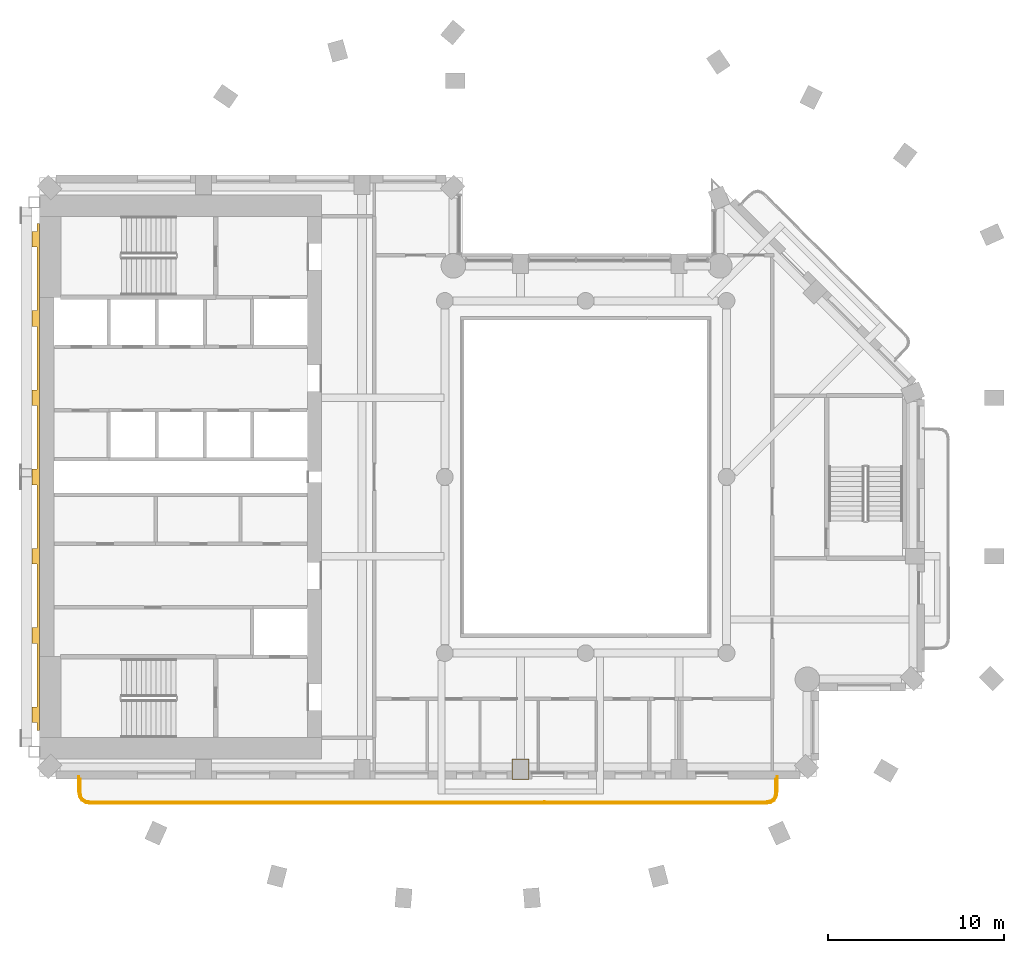
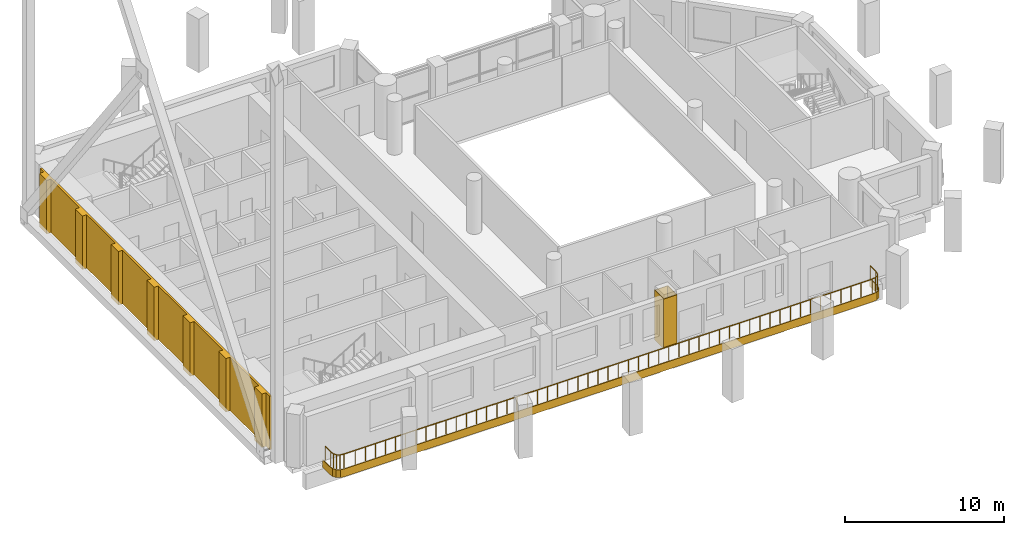
# One storey, part 13 of 16: 3 coverings, 1 railing.
"""IFC4 building model written with IfcOpenShell, lengths in metres."""

from ifc_helpers import new_model, si_unit, direction, frame, origin, origin_2d, place, context, subcontext, project, spatial, polyline, rectangle, outline, extrude, material, layer, layer_set, type_object, element, save


model = new_model("IFC4")

# Units and contexts
model_context = context("Model", 3, precision=1e-05, world=origin(), true_north=direction((0.0, 1.0)))
body_context = subcontext(model_context, "Body", "Model", "MODEL_VIEW")
ifc_project = project(units=[si_unit("LENGTHUNIT", "METRE"), si_unit("AREAUNIT", "SQUARE_METRE"), si_unit("VOLUMEUNIT", "CUBIC_METRE"), si_unit("PLANEANGLEUNIT", "RADIAN"), si_unit("MASSUNIT", "GRAM", prefix="KILO")], contexts=[model_context])

# Site, building, storey
site_placement = place(None, origin())
site = spatial("IfcSite", under=ifc_project, at=site_placement, CompositionType="ELEMENT")
building_placement = place(site_placement, origin())
building = spatial("IfcBuilding", under=site, at=building_placement, Name="Cypress Arch Tower", CompositionType="ELEMENT")
storey_placement = place(building_placement, frame((0.0, 0.0, 197.39990234375)))
storey = spatial("IfcBuildingStorey", under=building, at=storey_placement, Name="L43", CompositionType="ELEMENT", Elevation=197.39990234375)

# Covering
ifc_material_1 = material(Name="White powder-coated aluminium fascia", Category="aluminium")
ifc_layer_1 = layer(ifc_material_1, 0.050048828125)
ifc_layer_set_1 = layer_set([ifc_layer_1], Name="Balcony fascia BF50")
covering_type_1 = type_object("IfcCoveringType", Name="Balcony fascia BF50", PredefinedType="CLADDING", material=ifc_layer_set_1)
covering_1_placement = place(storey_placement, frame((0.0, 0.0, -0.599853515625)))
element("IfcCovering", 1, at=covering_1_placement, inside=storey, type_object=covering_type_1, Name="Balcony fascia L43-B01", PredefinedType="CLADDING", context=body_context, shape_type="SweptSolid", body=[
    extrude(outline(polyline([(11.89990234375, -17.85205078125), (11.85693359375, -18.154541015625), (11.721435546875, -18.38037109375), (11.495849609375, -18.516357421875), (11.193603515625, -18.560302734375), (10.383544921875, -18.5625), (8.916748046875, -18.5654296875), (7.449951171875, -18.56640625), (5.983154296875, -18.565185546875), (4.5166015625, -18.562255859375), (3.0498046875, -18.558349609375), (1.583251953125, -18.55419921875), (0.11669921875, -18.55126953125), (-1.35009765625, -18.550048828125), (-2.816650390625, -18.55078125), (-4.283203125, -18.553466796875), (-5.749755859375, -18.557373046875), (-7.216552734375, -18.5615234375), (-8.683349609375, -18.564697265625), (-10.14990234375, -18.56640625), (-11.61669921875, -18.565673828125), (-13.08349609375, -18.563232421875), (-14.550048828125, -18.5595703125), (-16.016845703125, -18.555419921875), (-17.4833984375, -18.552001953125), (-18.949951171875, -18.550048828125), (-20.41650390625, -18.55029296875), (-21.88330078125, -18.552734375), (-23.349853515625, -18.556396484375), (-24.816650390625, -18.560546875), (-26.283203125, -18.56396484375), (-27.093505859375, -18.565185546875), (-27.395751953125, -18.5224609375), (-27.621337890625, -18.38720703125), (-27.7568359375, -18.161865234375), (-27.800048828125, -17.859619140625), (-27.800048828125, -17.0009765625), (-27.75, -17.0009765625), (-27.75, -17.856201171875), (-27.708740234375, -18.144775390625), (-27.5849609375, -18.350830078125), (-27.378662109375, -18.474365234375), (-27.090087890625, -18.51513671875), (-26.283447265625, -18.513916015625), (-24.816650390625, -18.510498046875), (-23.35009765625, -18.50634765625), (-21.88330078125, -18.502685546875), (-20.416748046875, -18.50048828125), (-18.949951171875, -18.500244140625), (-17.4833984375, -18.501953125), (-16.0166015625, -18.50537109375), (-14.550048828125, -18.509521484375), (-13.083251953125, -18.51318359375), (-11.61669921875, -18.515869140625), (-10.14990234375, -18.516357421875), (-8.683349609375, -18.514892578125), (-7.216552734375, -18.511474609375), (-5.75, -18.507568359375), (-4.283447265625, -18.503662109375), (-2.816650390625, -18.500732421875), (-1.35009765625, -18.5), (0.11669921875, -18.501220703125), (1.583251953125, -18.50439453125), (3.050048828125, -18.50830078125), (4.5166015625, -18.51220703125), (5.9833984375, -18.51513671875), (7.449951171875, -18.516357421875), (8.916748046875, -18.515380859375), (10.38330078125, -18.512451171875), (11.18994140625, -18.510498046875), (11.478759765625, -18.46826171875), (11.68505859375, -18.343994140625), (11.808837890625, -18.137451171875), (11.85009765625, -17.8486328125), (11.85009765625, -17.0009765625), (11.89990234375, -17.0009765625), (11.89990234375, -17.85205078125)])), origin(), (0.0, 0.0, 1.0), 0.599853515625),
])

# Railing
ifc_material_2 = material(Name="Powder-coated steel posts and rods, 100 mm clear between rods", Category="steel")
railing_type = type_object("IfcRailingType", Name="Balcony guard GR1100", PredefinedType="GUARDRAIL", material=ifc_material_2)
railing_placement = place(storey_placement, frame((11.800048828125, -17.14990234375, 0.0)))
element("IfcRailing", 2, at=railing_placement, inside=storey, type_object=railing_type, Name="Balcony guard L43-B01", PredefinedType="GUARDRAIL", context=body_context, shape_type="SweptSolid", body=[
    extrude(rectangle(XDim=0.050048828125, YDim=0.050048828125, at=origin_2d()), frame((0.0, 0.0, 1.0751953125), z_axis=(0.0, -1.0, 0.0), x_axis=(1.0, 0.0, 0.0)), (0.0, 0.0, 1.0), 0.695068359375),
    extrude(rectangle(XDim=0.050048828125, YDim=0.050048828125, at=origin_2d()), frame((0.0, -0.695068359375, 1.0751953125), z_axis=(-0.141298486899, -0.989967038643, 0.0), x_axis=(0.989967038643, -0.141298486899, 0.0)), (0.0, 0.0, 1.0), 0.278076171875),
    extrude(rectangle(XDim=0.050048828125, YDim=0.050048828125, at=origin_2d()), frame((-0.039306640625, -0.970458984375, 1.0751953125), z_axis=(-0.514331317798, -0.85759156685, 0.0), x_axis=(0.85759156685, -0.514331317798, 0.0)), (0.0, 0.0, 1.0), 0.21826171875),
    extrude(rectangle(XDim=0.050048828125, YDim=0.050048828125, at=origin_2d()), frame((-0.151611328125, -1.15771484375, 1.0751953125), z_axis=(-0.856008389805, -0.51696192953, 0.0), x_axis=(0.51696192953, -0.856008389805, 0.0)), (0.0, 0.0, 1.0), 0.21826171875),
    extrude(rectangle(XDim=0.050048828125, YDim=0.050048828125, at=origin_2d()), frame((-0.33837890625, -1.2705078125, 1.0751953125), z_axis=(-0.989595525571, -0.143877363647, 0.0), x_axis=(0.143877363647, -0.989595525571, 0.0)), (0.0, 0.0, 1.0), 0.2783203125),
    extrude(rectangle(XDim=0.050048828125, YDim=0.050048828125, at=origin_2d()), frame((-0.61376953125, -1.310546875, 1.0751953125), z_axis=(-0.999996256095, -0.002736383796, 0.0), x_axis=(0.002736383796, -0.999996256095, 0.0)), (0.0, 0.0, 1.0), 0.802978515625),
    extrude(rectangle(XDim=0.050048828125, YDim=0.050048828125, at=origin_2d()), frame((-1.416748046875, -1.312744140625, 1.0751953125), z_axis=(-0.999998323921, -0.001830889075, 0.0), x_axis=(0.001830889075, -0.999998323921, 0.0)), (0.0, 0.0, 1.0), 1.466796875),
    extrude(rectangle(XDim=0.050048828125, YDim=0.050048828125, at=origin_2d()), frame((-2.883544921875, -1.3154296875, 1.0751953125), z_axis=(-0.999999778295, -0.000665889648, 0.0), x_axis=(0.000665889648, -0.999999778295, 0.0)), (0.0, 0.0, 1.0), 1.466552734375),
    extrude(rectangle(XDim=0.050048828125, YDim=0.050048828125, at=origin_2d()), frame((-4.35009765625, -1.31640625, 1.0751953125), z_axis=(-0.999999778295, 0.000665889648, 0.0), x_axis=(-0.000665889648, -0.999999778295, 0.0)), (0.0, 0.0, 1.0), 1.466552734375),
    extrude(rectangle(XDim=0.050048828125, YDim=0.050048828125, at=origin_2d()), frame((-5.816650390625, -1.3154296875, 1.0751953125), z_axis=(-0.999998004664, 0.0019976654, 0.0), x_axis=(-0.0019976654, -0.999998004664, 0.0)), (0.0, 0.0, 1.0), 1.466552734375),
    extrude(rectangle(XDim=0.050048828125, YDim=0.050048828125, at=origin_2d()), frame((-7.283203125, -1.3125, 1.0751953125), z_axis=(-0.999995996817, 0.002829549259, 0.0), x_axis=(-0.002829549259, -0.999995996817, 0.0)), (0.0, 0.0, 1.0), 1.466796875),
    extrude(rectangle(XDim=0.050048828125, YDim=0.050048828125, at=origin_2d()), frame((-8.75, -1.308349609375, 1.0751953125), z_axis=(-0.999996452745, 0.002663549733, 0.0), x_axis=(-0.002663549733, -0.999996452745, 0.0)), (0.0, 0.0, 1.0), 1.466552734375),
    extrude(rectangle(XDim=0.050048828125, YDim=0.050048828125, at=origin_2d()), frame((-10.216552734375, -1.304443359375, 1.0751953125), z_axis=(-0.999997659033, 0.002163776559, 0.0), x_axis=(-0.002163776559, -0.999997659033, 0.0)), (0.0, 0.0, 1.0), 1.466796875),
    extrude(rectangle(XDim=0.050048828125, YDim=0.050048828125, at=origin_2d()), frame((-11.683349609375, -1.30126953125, 1.0751953125), z_axis=(-0.999999653702, 0.000832223414, 0.0), x_axis=(-0.000832223414, -0.999999653702, 0.0)), (0.0, 0.0, 1.0), 1.466796875),
    extrude(rectangle(XDim=0.050048828125, YDim=0.050048828125, at=origin_2d()), frame((-13.150146484375, -1.300048828125, 1.0751953125), z_axis=(-0.999999778295, -0.000665889648, 0.0), x_axis=(0.000665889648, -0.999999778295, 0.0)), (0.0, 0.0, 1.0), 1.466552734375),
    extrude(rectangle(XDim=0.050048828125, YDim=0.050048828125, at=origin_2d()), frame((-14.61669921875, -1.301025390625, 1.0751953125), z_axis=(-0.999998323921, -0.001830889075, 0.0), x_axis=(0.001830889075, -0.999998323921, 0.0)), (0.0, 0.0, 1.0), 1.466796875),
    extrude(rectangle(XDim=0.050048828125, YDim=0.050048828125, at=origin_2d()), frame((-16.08349609375, -1.3037109375, 1.0751953125), z_axis=(-0.999996453926, -0.002663106402, 0.0), x_axis=(0.002663106402, -0.999996453926, 0.0)), (0.0, 0.0, 1.0), 1.466796875),
    extrude(rectangle(XDim=0.050048828125, YDim=0.050048828125, at=origin_2d()), frame((-17.55029296875, -1.3076171875, 1.0751953125), z_axis=(-0.999995995485, -0.002830020297, 0.0), x_axis=(0.002830020297, -0.999995995485, 0.0)), (0.0, 0.0, 1.0), 1.466552734375),
    extrude(rectangle(XDim=0.050048828125, YDim=0.050048828125, at=origin_2d()), frame((-19.016845703125, -1.311767578125, 1.0751953125), z_axis=(-0.999997658253, -0.002164136767, 0.0), x_axis=(0.002164136767, -0.999997658253, 0.0)), (0.0, 0.0, 1.0), 1.466552734375),
    extrude(rectangle(XDim=0.050048828125, YDim=0.050048828125, at=origin_2d()), frame((-20.4833984375, -1.31494140625, 1.0751953125), z_axis=(-0.999999501165, -0.000998834195, 0.0), x_axis=(0.000998834195, -0.999999501165, 0.0)), (0.0, 0.0, 1.0), 1.466552734375),
    extrude(rectangle(XDim=0.050048828125, YDim=0.050048828125, at=origin_2d()), frame((-21.949951171875, -1.31640625, 1.0751953125), z_axis=(-0.999999944592, 0.000332889462, 0.0), x_axis=(-0.000332889462, -0.999999944592, 0.0)), (0.0, 0.0, 1.0), 1.466796875),
    extrude(rectangle(XDim=0.050048828125, YDim=0.050048828125, at=origin_2d()), frame((-23.416748046875, -1.31591796875, 1.0751953125), z_axis=(-0.999998614349, 0.001664722181, 0.0), x_axis=(-0.001664722181, -0.999998614349, 0.0)), (0.0, 0.0, 1.0), 1.466552734375),
    extrude(rectangle(XDim=0.050048828125, YDim=0.050048828125, at=origin_2d()), frame((-24.88330078125, -1.3134765625, 1.0751953125), z_axis=(-0.999996452745, 0.002663549733, 0.0), x_axis=(-0.002663549733, -0.999996452745, 0.0)), (0.0, 0.0, 1.0), 1.466552734375),
    extrude(rectangle(XDim=0.050048828125, YDim=0.050048828125, at=origin_2d()), frame((-26.349853515625, -1.3095703125, 1.0751953125), z_axis=(-0.999995996817, 0.002829549259, 0.0), x_axis=(-0.002829549259, -0.999995996817, 0.0)), (0.0, 0.0, 1.0), 1.466796875),
    extrude(rectangle(XDim=0.050048828125, YDim=0.050048828125, at=origin_2d()), frame((-27.816650390625, -1.305419921875, 1.0751953125), z_axis=(-0.99999728413, 0.002330607954, 0.0), x_axis=(-0.002330607954, -0.99999728413, 0.0)), (0.0, 0.0, 1.0), 1.466552734375),
    extrude(rectangle(XDim=0.050048828125, YDim=0.050048828125, at=origin_2d()), frame((-29.283203125, -1.302001953125, 1.0751953125), z_axis=(-0.999999321256, 0.001165112392, 0.0), x_axis=(-0.001165112392, -0.999999321256, 0.0)), (0.0, 0.0, 1.0), 1.466796875),
    extrude(rectangle(XDim=0.050048828125, YDim=0.050048828125, at=origin_2d()), frame((-30.75, -1.30029296875, 1.0751953125), z_axis=(-0.999999986148, -0.000166444738, 0.0), x_axis=(0.000166444738, -0.999999986148, 0.0)), (0.0, 0.0, 1.0), 1.466796875),
    extrude(rectangle(XDim=0.050048828125, YDim=0.050048828125, at=origin_2d()), frame((-32.216796875, -1.300537109375, 1.0751953125), z_axis=(-0.999998877996, -0.001498000982, 0.0), x_axis=(0.001498000982, -0.999998877996, 0.0)), (0.0, 0.0, 1.0), 1.466796875),
    extrude(rectangle(XDim=0.050048828125, YDim=0.050048828125, at=origin_2d()), frame((-33.68359375, -1.302734375, 1.0751953125), z_axis=(-0.999996882294, -0.002497078947, 0.0), x_axis=(0.002497078947, -0.999996882294, 0.0)), (0.0, 0.0, 1.0), 1.466552734375),
    extrude(rectangle(XDim=0.050048828125, YDim=0.050048828125, at=origin_2d()), frame((-35.150146484375, -1.306396484375, 1.0751953125), z_axis=(-0.999995996817, -0.002829549259, 0.0), x_axis=(0.002829549259, -0.999995996817, 0.0)), (0.0, 0.0, 1.0), 1.466796875),
    extrude(rectangle(XDim=0.050048828125, YDim=0.050048828125, at=origin_2d()), frame((-36.616943359375, -1.310546875, 1.0751953125), z_axis=(-0.999996882294, -0.002497078947, 0.0), x_axis=(0.002497078947, -0.999996882294, 0.0)), (0.0, 0.0, 1.0), 1.466552734375),
    extrude(rectangle(XDim=0.050048828125, YDim=0.050048828125, at=origin_2d()), frame((-38.08349609375, -1.314208984375, 1.0751953125), z_axis=(-0.99999926046, -0.00121617423, 0.0), x_axis=(0.00121617423, -0.99999926046, 0.0)), (0.0, 0.0, 1.0), 0.802978515625),
    extrude(rectangle(XDim=0.050048828125, YDim=0.050048828125, at=origin_2d()), frame((-38.886474609375, -1.315185546875, 1.0751953125), z_axis=(-0.990211131227, 0.139577632859, 0.0), x_axis=(-0.139577632859, -0.990211131227, 0.0)), (0.0, 0.0, 1.0), 0.278076171875),
    extrude(rectangle(XDim=0.050048828125, YDim=0.050048828125, at=origin_2d()), frame((-39.161865234375, -1.2763671875, 1.0751953125), z_axis=(-0.857987331543, 0.513670846858, 0.0), x_axis=(-0.513670846858, -0.857987331543, 0.0)), (0.0, 0.0, 1.0), 0.2177734375),
    extrude(rectangle(XDim=0.050048828125, YDim=0.050048828125, at=origin_2d()), frame((-39.3486328125, -1.16455078125, 1.0751953125), z_axis=(-0.514495755428, 0.857492925713, 0.0), x_axis=(-0.857492925713, -0.514495755428, 0.0)), (0.0, 0.0, 1.0), 0.2177734375),
    extrude(rectangle(XDim=0.050048828125, YDim=0.050048828125, at=origin_2d()), frame((-39.460693359375, -0.977783203125, 1.0751953125), z_axis=(-0.141421356237, 0.989949493661, 0.0), x_axis=(-0.989949493661, -0.141421356237, 0.0)), (0.0, 0.0, 1.0), 0.27783203125),
    extrude(rectangle(XDim=0.050048828125, YDim=0.050048828125, at=origin_2d()), frame((-39.5, -0.70263671875, 1.0751953125), z_axis=(0.0, 1.0, 0.0), x_axis=(-1.0, 0.0, 0.0)), (0.0, 0.0, 1.0), 0.70263671875),
    extrude(rectangle(XDim=0.0400390625, YDim=0.0400390625, at=origin_2d()), origin(), (0.0, 0.0, 1.0), 1.050048828125),
    extrude(rectangle(XDim=0.0400390625, YDim=0.0400390625, at=origin_2d()), frame((0.0, -0.695068359375, 0.0)), (0.0, 0.0, 1.0), 1.050048828125),
    extrude(rectangle(XDim=0.0400390625, YDim=0.0400390625, at=origin_2d()), frame((-0.039306640625, -0.970458984375, 0.0)), (0.0, 0.0, 1.0), 1.050048828125),
    extrude(rectangle(XDim=0.0400390625, YDim=0.0400390625, at=origin_2d()), frame((-0.151611328125, -1.15771484375, 0.0)), (0.0, 0.0, 1.0), 1.050048828125),
    extrude(rectangle(XDim=0.0400390625, YDim=0.0400390625, at=origin_2d()), frame((-0.33837890625, -1.2705078125, 0.0)), (0.0, 0.0, 1.0), 1.050048828125),
    extrude(rectangle(XDim=0.0400390625, YDim=0.0400390625, at=origin_2d()), frame((-0.61376953125, -1.310546875, 0.0)), (0.0, 0.0, 1.0), 1.050048828125),
    extrude(rectangle(XDim=0.0400390625, YDim=0.0400390625, at=origin_2d()), frame((-1.416748046875, -1.312744140625, 0.0)), (0.0, 0.0, 1.0), 1.050048828125),
    extrude(rectangle(XDim=0.0400390625, YDim=0.0400390625, at=origin_2d()), frame((-2.150146484375, -1.31396484375, 0.0)), (0.0, 0.0, 1.0), 1.050048828125),
    extrude(rectangle(XDim=0.0400390625, YDim=0.0400390625, at=origin_2d()), frame((-2.883544921875, -1.3154296875, 0.0)), (0.0, 0.0, 1.0), 1.050048828125),
    extrude(rectangle(XDim=0.0400390625, YDim=0.0400390625, at=origin_2d()), frame((-3.61669921875, -1.31591796875, 0.0)), (0.0, 0.0, 1.0), 1.050048828125),
    extrude(rectangle(XDim=0.0400390625, YDim=0.0400390625, at=origin_2d()), frame((-4.35009765625, -1.31640625, 0.0)), (0.0, 0.0, 1.0), 1.050048828125),
    extrude(rectangle(XDim=0.0400390625, YDim=0.0400390625, at=origin_2d()), frame((-5.08349609375, -1.31591796875, 0.0)), (0.0, 0.0, 1.0), 1.050048828125),
    extrude(rectangle(XDim=0.0400390625, YDim=0.0400390625, at=origin_2d()), frame((-5.816650390625, -1.3154296875, 0.0)), (0.0, 0.0, 1.0), 1.050048828125),
    extrude(rectangle(XDim=0.0400390625, YDim=0.0400390625, at=origin_2d()), frame((-6.5498046875, -1.31396484375, 0.0)), (0.0, 0.0, 1.0), 1.050048828125),
    extrude(rectangle(XDim=0.0400390625, YDim=0.0400390625, at=origin_2d()), frame((-7.283203125, -1.3125, 0.0)), (0.0, 0.0, 1.0), 1.050048828125),
    extrude(rectangle(XDim=0.0400390625, YDim=0.0400390625, at=origin_2d()), frame((-8.0166015625, -1.310546875, 0.0)), (0.0, 0.0, 1.0), 1.050048828125),
    extrude(rectangle(XDim=0.0400390625, YDim=0.0400390625, at=origin_2d()), frame((-8.75, -1.308349609375, 0.0)), (0.0, 0.0, 1.0), 1.050048828125),
    extrude(rectangle(XDim=0.0400390625, YDim=0.0400390625, at=origin_2d()), frame((-9.4833984375, -1.306396484375, 0.0)), (0.0, 0.0, 1.0), 1.050048828125),
    extrude(rectangle(XDim=0.0400390625, YDim=0.0400390625, at=origin_2d()), frame((-10.216552734375, -1.304443359375, 0.0)), (0.0, 0.0, 1.0), 1.050048828125),
    extrude(rectangle(XDim=0.0400390625, YDim=0.0400390625, at=origin_2d()), frame((-10.949951171875, -1.302734375, 0.0)), (0.0, 0.0, 1.0), 1.050048828125),
    extrude(rectangle(XDim=0.0400390625, YDim=0.0400390625, at=origin_2d()), frame((-11.683349609375, -1.30126953125, 0.0)), (0.0, 0.0, 1.0), 1.050048828125),
    extrude(rectangle(XDim=0.0400390625, YDim=0.0400390625, at=origin_2d()), frame((-12.416748046875, -1.30078125, 0.0)), (0.0, 0.0, 1.0), 1.050048828125),
    extrude(rectangle(XDim=0.0400390625, YDim=0.0400390625, at=origin_2d()), frame((-13.150146484375, -1.300048828125, 0.0)), (0.0, 0.0, 1.0), 1.050048828125),
    extrude(rectangle(XDim=0.0400390625, YDim=0.0400390625, at=origin_2d()), frame((-13.88330078125, -1.300537109375, 0.0)), (0.0, 0.0, 1.0), 1.050048828125),
    extrude(rectangle(XDim=0.0400390625, YDim=0.0400390625, at=origin_2d()), frame((-14.61669921875, -1.301025390625, 0.0)), (0.0, 0.0, 1.0), 1.050048828125),
    extrude(rectangle(XDim=0.0400390625, YDim=0.0400390625, at=origin_2d()), frame((-15.35009765625, -1.30224609375, 0.0)), (0.0, 0.0, 1.0), 1.050048828125),
    extrude(rectangle(XDim=0.0400390625, YDim=0.0400390625, at=origin_2d()), frame((-16.08349609375, -1.3037109375, 0.0)), (0.0, 0.0, 1.0), 1.050048828125),
    extrude(rectangle(XDim=0.0400390625, YDim=0.0400390625, at=origin_2d()), frame((-16.81689453125, -1.3056640625, 0.0)), (0.0, 0.0, 1.0), 1.050048828125),
    extrude(rectangle(XDim=0.0400390625, YDim=0.0400390625, at=origin_2d()), frame((-17.55029296875, -1.3076171875, 0.0)), (0.0, 0.0, 1.0), 1.050048828125),
    extrude(rectangle(XDim=0.0400390625, YDim=0.0400390625, at=origin_2d()), frame((-18.28369140625, -1.3095703125, 0.0)), (0.0, 0.0, 1.0), 1.050048828125),
    extrude(rectangle(XDim=0.0400390625, YDim=0.0400390625, at=origin_2d()), frame((-19.016845703125, -1.311767578125, 0.0)), (0.0, 0.0, 1.0), 1.050048828125),
    extrude(rectangle(XDim=0.0400390625, YDim=0.0400390625, at=origin_2d()), frame((-19.75, -1.3134765625, 0.0)), (0.0, 0.0, 1.0), 1.050048828125),
    extrude(rectangle(XDim=0.0400390625, YDim=0.0400390625, at=origin_2d()), frame((-20.4833984375, -1.31494140625, 0.0)), (0.0, 0.0, 1.0), 1.050048828125),
    extrude(rectangle(XDim=0.0400390625, YDim=0.0400390625, at=origin_2d()), frame((-21.216796875, -1.315673828125, 0.0)), (0.0, 0.0, 1.0), 1.050048828125),
    extrude(rectangle(XDim=0.0400390625, YDim=0.0400390625, at=origin_2d()), frame((-21.949951171875, -1.31640625, 0.0)), (0.0, 0.0, 1.0), 1.050048828125),
    extrude(rectangle(XDim=0.0400390625, YDim=0.0400390625, at=origin_2d()), frame((-22.683349609375, -1.316162109375, 0.0)), (0.0, 0.0, 1.0), 1.050048828125),
    extrude(rectangle(XDim=0.0400390625, YDim=0.0400390625, at=origin_2d()), frame((-23.416748046875, -1.31591796875, 0.0)), (0.0, 0.0, 1.0), 1.050048828125),
    extrude(rectangle(XDim=0.0400390625, YDim=0.0400390625, at=origin_2d()), frame((-24.14990234375, -1.314697265625, 0.0)), (0.0, 0.0, 1.0), 1.050048828125),
    extrude(rectangle(XDim=0.0400390625, YDim=0.0400390625, at=origin_2d()), frame((-24.88330078125, -1.3134765625, 0.0)), (0.0, 0.0, 1.0), 1.050048828125),
    extrude(rectangle(XDim=0.0400390625, YDim=0.0400390625, at=origin_2d()), frame((-25.61669921875, -1.3115234375, 0.0)), (0.0, 0.0, 1.0), 1.050048828125),
    extrude(rectangle(XDim=0.0400390625, YDim=0.0400390625, at=origin_2d()), frame((-26.349853515625, -1.3095703125, 0.0)), (0.0, 0.0, 1.0), 1.050048828125),
    extrude(rectangle(XDim=0.0400390625, YDim=0.0400390625, at=origin_2d()), frame((-27.083251953125, -1.3076171875, 0.0)), (0.0, 0.0, 1.0), 1.050048828125),
    extrude(rectangle(XDim=0.0400390625, YDim=0.0400390625, at=origin_2d()), frame((-27.816650390625, -1.305419921875, 0.0)), (0.0, 0.0, 1.0), 1.050048828125),
    extrude(rectangle(XDim=0.0400390625, YDim=0.0400390625, at=origin_2d()), frame((-28.5498046875, -1.3037109375, 0.0)), (0.0, 0.0, 1.0), 1.050048828125),
    extrude(rectangle(XDim=0.0400390625, YDim=0.0400390625, at=origin_2d()), frame((-29.283203125, -1.302001953125, 0.0)), (0.0, 0.0, 1.0), 1.050048828125),
    extrude(rectangle(XDim=0.0400390625, YDim=0.0400390625, at=origin_2d()), frame((-30.0166015625, -1.30126953125, 0.0)), (0.0, 0.0, 1.0), 1.050048828125),
    extrude(rectangle(XDim=0.0400390625, YDim=0.0400390625, at=origin_2d()), frame((-30.75, -1.30029296875, 0.0)), (0.0, 0.0, 1.0), 1.050048828125),
    extrude(rectangle(XDim=0.0400390625, YDim=0.0400390625, at=origin_2d()), frame((-31.4833984375, -1.30029296875, 0.0)), (0.0, 0.0, 1.0), 1.050048828125),
    extrude(rectangle(XDim=0.0400390625, YDim=0.0400390625, at=origin_2d()), frame((-32.216796875, -1.300537109375, 0.0)), (0.0, 0.0, 1.0), 1.050048828125),
    extrude(rectangle(XDim=0.0400390625, YDim=0.0400390625, at=origin_2d()), frame((-32.9501953125, -1.3017578125, 0.0)), (0.0, 0.0, 1.0), 1.050048828125),
    extrude(rectangle(XDim=0.0400390625, YDim=0.0400390625, at=origin_2d()), frame((-33.68359375, -1.302734375, 0.0)), (0.0, 0.0, 1.0), 1.050048828125),
    extrude(rectangle(XDim=0.0400390625, YDim=0.0400390625, at=origin_2d()), frame((-34.4169921875, -1.3046875, 0.0)), (0.0, 0.0, 1.0), 1.050048828125),
    extrude(rectangle(XDim=0.0400390625, YDim=0.0400390625, at=origin_2d()), frame((-35.150146484375, -1.306396484375, 0.0)), (0.0, 0.0, 1.0), 1.050048828125),
    extrude(rectangle(XDim=0.0400390625, YDim=0.0400390625, at=origin_2d()), frame((-35.883544921875, -1.30859375, 0.0)), (0.0, 0.0, 1.0), 1.050048828125),
    extrude(rectangle(XDim=0.0400390625, YDim=0.0400390625, at=origin_2d()), frame((-36.616943359375, -1.310546875, 0.0)), (0.0, 0.0, 1.0), 1.050048828125),
    extrude(rectangle(XDim=0.0400390625, YDim=0.0400390625, at=origin_2d()), frame((-37.35009765625, -1.3125, 0.0)), (0.0, 0.0, 1.0), 1.050048828125),
    extrude(rectangle(XDim=0.0400390625, YDim=0.0400390625, at=origin_2d()), frame((-38.08349609375, -1.314208984375, 0.0)), (0.0, 0.0, 1.0), 1.050048828125),
    extrude(rectangle(XDim=0.0400390625, YDim=0.0400390625, at=origin_2d()), frame((-38.886474609375, -1.315185546875, 0.0)), (0.0, 0.0, 1.0), 1.050048828125),
    extrude(rectangle(XDim=0.0400390625, YDim=0.0400390625, at=origin_2d()), frame((-39.161865234375, -1.2763671875, 0.0)), (0.0, 0.0, 1.0), 1.050048828125),
    extrude(rectangle(XDim=0.0400390625, YDim=0.0400390625, at=origin_2d()), frame((-39.3486328125, -1.16455078125, 0.0)), (0.0, 0.0, 1.0), 1.050048828125),
    extrude(rectangle(XDim=0.0400390625, YDim=0.0400390625, at=origin_2d()), frame((-39.460693359375, -0.977783203125, 0.0)), (0.0, 0.0, 1.0), 1.050048828125),
    extrude(rectangle(XDim=0.0400390625, YDim=0.0400390625, at=origin_2d()), frame((-39.5, -0.70263671875, 0.0)), (0.0, 0.0, 1.0), 1.050048828125),
    extrude(rectangle(XDim=0.0400390625, YDim=0.0400390625, at=origin_2d()), frame((-39.5, 0.0, 0.0)), (0.0, 0.0, 1.0), 1.050048828125),
])

# Coverings
ifc_material_3 = material(Name="Painted plasterboard column casing")
ifc_layer_2 = layer(ifc_material_3, 0.0400390625)
ifc_layer_set_2 = layer_set([ifc_layer_2], Name="Column casing CK40")
covering_type_2 = type_object("IfcCoveringType", Name="Column casing CK40", PredefinedType="CLADDING", material=ifc_layer_set_2)
covering_2_placement = place(storey_placement, origin())
element("IfcCovering", 3, at=covering_2_placement, inside=storey, type_object=covering_type_2, Name="Column casing L43 CB04", PredefinedType="CLADDING", context=body_context, shape_type="SweptSolid", body=[
    extrude(outline(polyline([(-3.18994140625, -17.18994140625), (-3.18994140625, -16.010009765625), (-2.2099609375, -16.010009765625), (-2.2099609375, -17.18994140625), (-3.18994140625, -17.18994140625)]), holes=[polyline([(-3.14990234375, -17.14990234375), (-2.25, -17.14990234375), (-2.25, -16.050048828125), (-3.14990234375, -16.050048828125), (-3.14990234375, -17.14990234375)])]), origin(), (0.0, 0.0, 1.0), 3.800048828125),
])
ifc_material_4 = material(Name="Brick (red buff blend)", Category="masonry")
ifc_layer_3 = layer(ifc_material_4, 0.449951171875)
ifc_layer_set_3 = layer_set([ifc_layer_3], Name="West face brick piers WP450")
covering_type_3 = type_object("IfcCoveringType", Name="West face brick piers WP450", PredefinedType="CLADDING", material=ifc_layer_set_3)
covering_3_placement = place(storey_placement, origin())
element("IfcCovering", 4, at=covering_3_placement, inside=storey, type_object=covering_type_3, Name="West face brick piers L43", PredefinedType="CLADDING", context=body_context, shape_type="SweptSolid", body=[
    extrude(outline(polyline([(-30.14990234375, -13.050048828125), (-30.14990234375, -9.449951171875), (-30.449951171875, -9.449951171875), (-30.449951171875, -8.550048828125), (-30.14990234375, -8.550048828125), (-30.14990234375, -4.949951171875), (-30.449951171875, -4.949951171875), (-30.449951171875, -4.050048828125), (-30.14990234375, -4.050048828125), (-30.14990234375, -0.449951171875), (-30.449951171875, -0.449951171875), (-30.449951171875, 0.449951171875), (-30.14990234375, 0.449951171875), (-30.14990234375, 4.050048828125), (-30.449951171875, 4.050048828125), (-30.449951171875, 4.949951171875), (-30.14990234375, 4.949951171875), (-30.14990234375, 8.550048828125), (-30.449951171875, 8.550048828125), (-30.449951171875, 9.449951171875), (-30.14990234375, 9.449951171875), (-30.14990234375, 13.050048828125), (-30.449951171875, 13.050048828125), (-30.449951171875, 13.949951171875), (-30.14990234375, 13.949951171875), (-30.14990234375, 14.39990234375), (-30.0, 14.39990234375), (-30.0, -14.39990234375), (-30.14990234375, -14.39990234375), (-30.14990234375, -13.949951171875), (-30.449951171875, -13.949951171875), (-30.449951171875, -13.050048828125), (-30.14990234375, -13.050048828125)])), origin(), (0.0, 0.0, 1.0), 4.10009765625),
])

save(model, "model.ifc")
